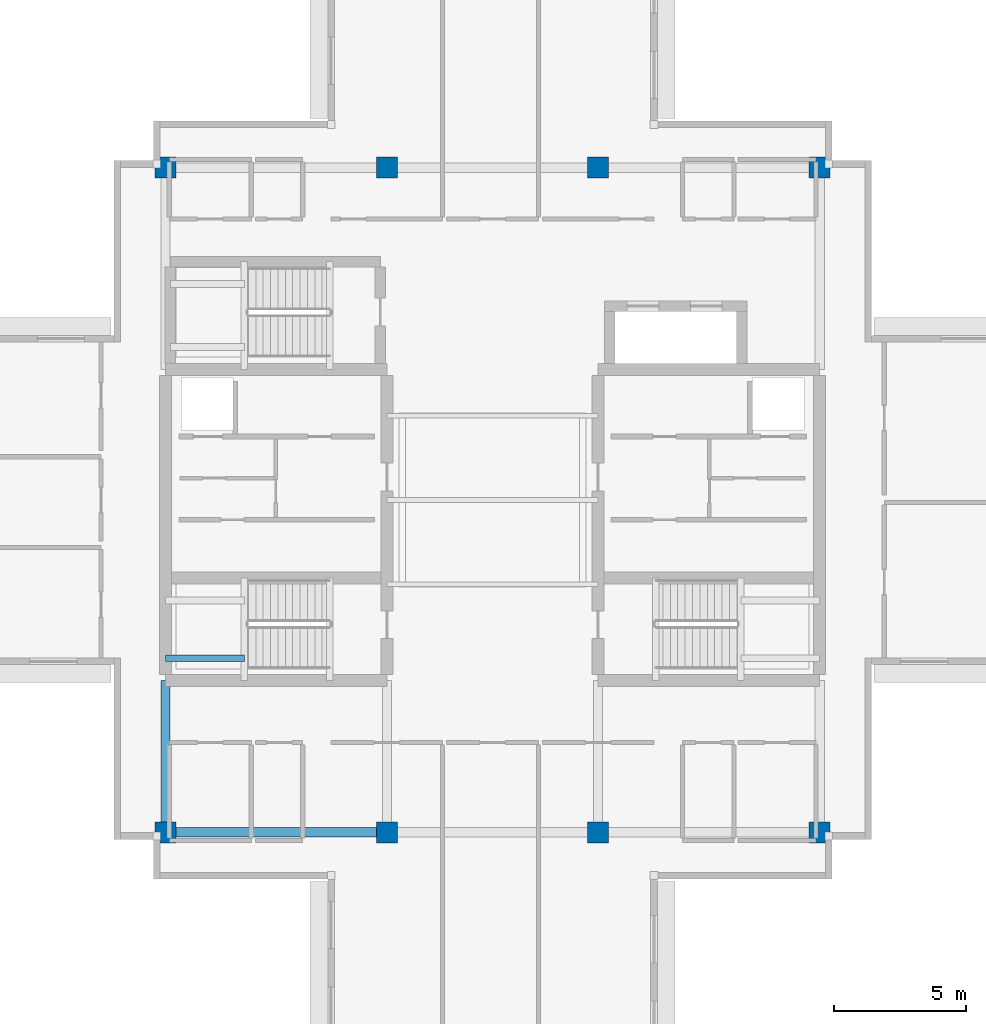
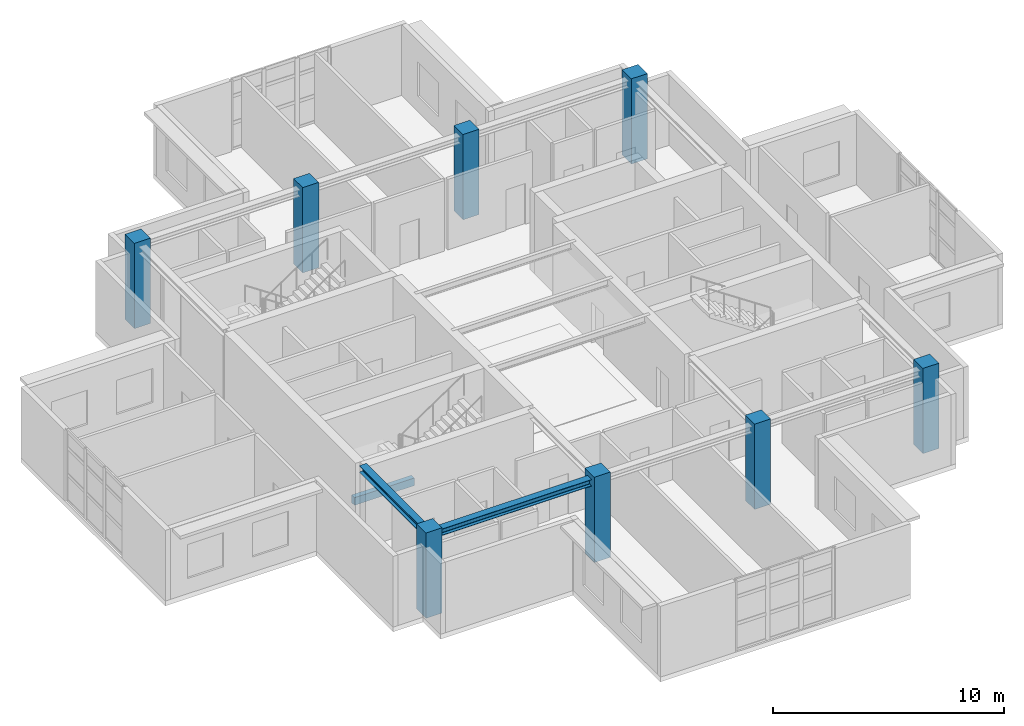
# One storey, part 1 of 16: 8 columns, 3 beams.
"""IFC4 building model written with IfcOpenShell, lengths in metres."""

from ifc_helpers import new_model, si_unit, direction, frame, origin, origin_2d, place, context, subcontext, project, spatial, rectangle, i_section, extrude, material, material_profile, profile_set, type_object, element, save


model = new_model("IFC4")

# Units and contexts
model_context = context("Model", 3, precision=1e-05, world=origin(), true_north=direction((0.0, 1.0)))
body_context = subcontext(model_context, "Body", "Model", "MODEL_VIEW")
ifc_project = project(units=[si_unit("LENGTHUNIT", "METRE"), si_unit("AREAUNIT", "SQUARE_METRE"), si_unit("VOLUMEUNIT", "CUBIC_METRE"), si_unit("PLANEANGLEUNIT", "RADIAN"), si_unit("MASSUNIT", "GRAM", prefix="KILO")], contexts=[model_context])

# Site, building, storey
site_placement = place(None, origin())
site = spatial("IfcSite", under=ifc_project, at=site_placement, CompositionType="ELEMENT")
building_placement = place(site_placement, origin())
building = spatial("IfcBuilding", under=site, at=building_placement, Name="Qingluan Cross Belvedere", CompositionType="ELEMENT")
storey_placement = place(building_placement, frame((0.0, 0.0, 308.39990234375)))
storey = spatial("IfcBuildingStorey", under=building, at=storey_placement, Name="L76", CompositionType="ELEMENT", Elevation=308.39990234375)

# Columns
ifc_material_1 = material(Name="Concrete C50", Category="concrete")
ifc_material_profile_1 = material_profile(ifc_material_1, rectangle(XDim=0.800048828125, YDim=0.800048828125, at=origin_2d()), Name="RC800x800")
ifc_profile_set_1 = profile_set([ifc_material_profile_1], Name="Concrete C50")
column_type = type_object("IfcColumnType", Name="Column_RC800x800", PredefinedType="COLUMN", material=ifc_profile_set_1)
for number, where, z_axis, x_axis, name in (
    (1, (-12.39990234375, -12.60009765625, 0.0), (0.0, 0.0, 1.0), (1.0, 0.0, 0.0), "Hub column L76-HC1"),
    (2, (12.39990234375, -12.60009765625, 0.0), (0.0, 0.0, 1.0), (1.0, 0.0, 0.0), "Hub column L76-HC2"),
    (3, (12.39990234375, 12.60009765625, 0.0), (0.0, 0.0, 1.0), (1.0, 0.0, 0.0), "Hub column L76-HC3"),
    (4, (-12.39990234375, 12.60009765625, 0.0), (0.0, 0.0, 1.0), (1.0, 0.0, 0.0), "Hub column L76-HC4"),
    (5, (-4.0, -12.60009765625, 0.0), (0.0, 0.0, 1.0), (1.0, 0.0, 0.0), "Hub column L76-HC5"),
    (6, (4.0, -12.60009765625, 0.0), (0.0, 0.0, 1.0), (1.0, 0.0, 0.0), "Hub column L76-HC6"),
    (7, (4.0, 12.60009765625, 0.0), (0.0, 0.0, 1.0), (1.0, 0.0, 0.0), "Hub column L76-HC7"),
    (8, (-4.0, 12.60009765625, 0.0), (0.0, 0.0, 1.0), (1.0, 0.0, 0.0), "Hub column L76-HC8"),
):
    element("IfcColumn", number, at=place(storey_placement, frame(where, z_axis=z_axis, x_axis=x_axis)), inside=storey, type_object=column_type, Name=name, PredefinedType="COLUMN", context=body_context, shape_type="SweptSolid", body=[
        extrude(rectangle(XDim=0.800048828125, YDim=0.800048828125, at=origin_2d()), origin(), (0.0, 0.0, 1.0), 4.5),
    ])

# Beams
ifc_material_2 = material(Name="Concrete C45", Category="concrete")
ifc_material_profile_2 = material_profile(ifc_material_2, rectangle(XDim=0.25, YDim=0.39990234375, at=origin_2d()), Name="RC250x400")
ifc_profile_set_2 = profile_set([ifc_material_profile_2], Name="Concrete C45")
beam_type_1 = type_object("IfcBeamType", Name="RC_Lintel_RC250x400", PredefinedType="LINTEL", material=ifc_profile_set_2)
beam_1_placement = place(storey_placement, frame((-12.39990234375, -6.0, 1.85009765625), z_axis=(1.0, 0.0, 0.0), x_axis=(0.0, 1.0, 0.0)))
element("IfcBeam", 9, at=beam_1_placement, inside=storey, type_object=beam_type_1, Name="Stair ST1 beam B L76", PredefinedType="LINTEL", context=body_context, shape_type="SweptSolid", body=[
    extrude(rectangle(XDim=0.25, YDim=0.39990234375, at=origin_2d()), origin(), (0.0, 0.0, 1.0), 2.989990234375),
])
ifc_material_3 = material(Name="Steel Q420GJB", Category="steel")
ifc_material_profile_3 = material_profile(ifc_material_3, i_section(OverallWidth=0.35009765625, OverallDepth=0.35009765625, WebThickness=0.011962890625, FlangeThickness=0.01904296875, FilletRadius=0.02001953125, at=origin_2d()), Name="HW350x350x12x19")
ifc_profile_set_3 = profile_set([ifc_material_profile_3], Name="Steel Q420GJB")
beam_type_2 = type_object("IfcBeamType", Name="Steel_Girder_HW350x350x12x19", PredefinedType="USERDEFINED", material=ifc_profile_set_3)
beam_2_placement = place(storey_placement, frame((-12.39990234375, -12.60009765625, 4.0751953125), z_axis=(1.0, 0.0, 0.0), x_axis=(0.0, 1.0, 0.0)))
element("IfcBeam", 10, at=beam_2_placement, inside=storey, type_object=beam_type_2, Name="Hub girder L76-HG-S1", ObjectType="GIRDER", PredefinedType="USERDEFINED", context=body_context, shape_type="SweptSolid", body=[
    extrude(i_section(OverallWidth=0.35009765625, OverallDepth=0.35009765625, WebThickness=0.011962890625, FlangeThickness=0.01904296875, FilletRadius=0.02001953125, at=origin_2d()), origin(), (0.0, 0.0, 1.0), 8.39990234375),
])
beam_3_placement = place(storey_placement, frame((-12.39990234375, -12.60009765625, 4.0751953125), z_axis=(0.0, 1.0, 0.0), x_axis=(-1.0, 0.0, 0.0)))
element("IfcBeam", 11, at=beam_3_placement, inside=storey, type_object=beam_type_2, Name="Hub girder L76-HG-W1", ObjectType="GIRDER", PredefinedType="USERDEFINED", context=body_context, shape_type="SweptSolid", body=[
    extrude(i_section(OverallWidth=0.35009765625, OverallDepth=0.35009765625, WebThickness=0.011962890625, FlangeThickness=0.01904296875, FilletRadius=0.02001953125, at=origin_2d()), origin(), (0.0, 0.0, 1.0), 5.75),
])

save(model, "model.ifc")
